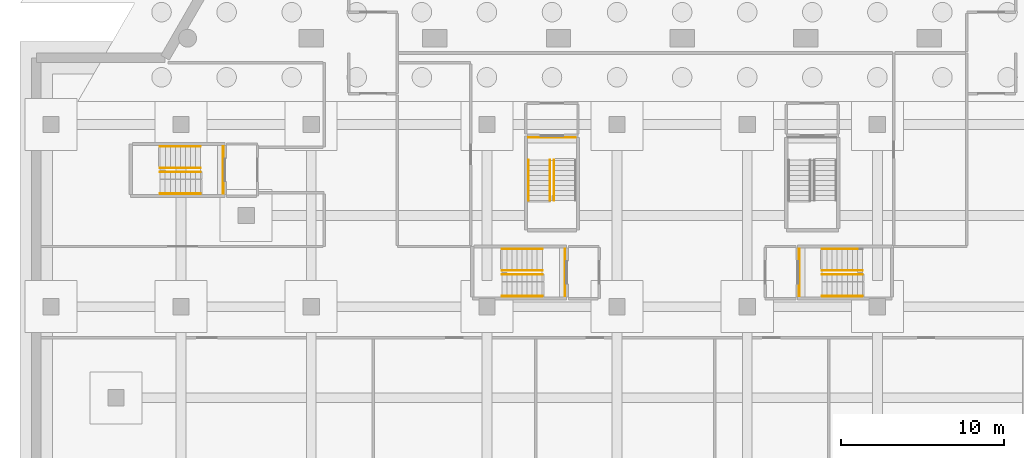
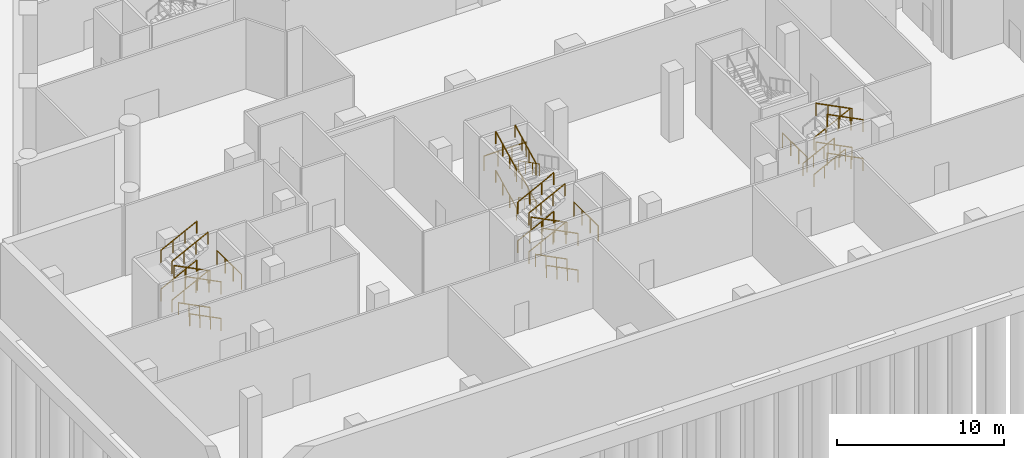
# One storey, part 16 of 20: 33 railings, 4 elements without a shape of their own.
"""IFC4 building model written with IfcOpenShell, lengths in metres."""

from ifc_helpers import new_model, si_unit, direction, frame, origin, origin_2d, place, context, subcontext, project, spatial, circle, extrude, material, type_object, element, aggregate, save


model = new_model("IFC4")

# Units and contexts
model_context = context("Model", 3, precision=1e-05, world=origin(), true_north=direction((0.0, 1.0)))
body_context = subcontext(model_context, "Body", "Model", "MODEL_VIEW")
ifc_project = project(units=[si_unit("LENGTHUNIT", "METRE"), si_unit("AREAUNIT", "SQUARE_METRE"), si_unit("VOLUMEUNIT", "CUBIC_METRE"), si_unit("PLANEANGLEUNIT", "RADIAN"), si_unit("MASSUNIT", "GRAM", prefix="KILO")], contexts=[model_context])

# Site, building, storey
site_placement = place(None, origin())
site = spatial("IfcSite", under=ifc_project, at=site_placement, CompositionType="ELEMENT")
building_placement = place(site_placement, origin())
building = spatial("IfcBuilding", under=site, at=building_placement, Name="Triada Interchange Tower", CompositionType="ELEMENT")
storey_placement = place(building_placement, frame((0.0, 0.0, -5.5)))
storey = spatial("IfcBuildingStorey", under=building, at=storey_placement, Name="B1", CompositionType="ELEMENT", Elevation=-5.5)

# Stair, railing
ifc_material_1 = material(Name="Concrete C35/45", Category="concrete")
stair_type = type_object("IfcStairType", Name="HALF TURN STAIR 1400", PredefinedType="HALF_TURN_STAIR", material=ifc_material_1)
stair_1_placement = place(storey_placement, origin())
stair_1 = element("IfcStair", 1, at=stair_1_placement, inside=storey, type_object=stair_type, Name="Exit stair SB1-4", PredefinedType="HALF_TURN_STAIR")
ifc_material_2 = material(Name="Stainless steel 1.4301", Category="steel")
railing_type_1 = type_object("IfcRailingType", Name="STAIR GUARD 1100", PredefinedType="GUARDRAIL", material=ifc_material_2)
railing_1_placement = place(storey_placement, frame((-7.199951171875, -37.449951171875, 2.67138671875)))
railing_1 = element("IfcRailing", 2, at=railing_1_placement, type_object=railing_type_1, Name="Guard SB1-4 1", PredefinedType="GUARDRAIL", context=body_context, shape_type="SweptSolid", body=[
    extrude(circle(Radius=0.02392578125, at=origin_2d()), frame((0.0, 0.0, 1.076171875), z_axis=(0.0, 1.0, 0.0), x_axis=(-1.0, 0.0, 0.0)), (0.0, 0.0, 1.0), 2.89990234375),
    extrude(circle(Radius=0.02099609375, at=origin_2d()), origin(), (0.0, 0.0, 1.0), 1.052001953125),
    extrude(circle(Radius=0.02099609375, at=origin_2d()), frame((0.0, 0.966552734375, 0.0)), (0.0, 0.0, 1.0), 1.052001953125),
    extrude(circle(Radius=0.02099609375, at=origin_2d()), frame((0.0, 1.933349609375, 0.0)), (0.0, 0.0, 1.0), 1.052001953125),
    extrude(circle(Radius=0.02099609375, at=origin_2d()), frame((0.0, 2.89990234375, 0.0)), (0.0, 0.0, 1.0), 1.052001953125),
])

stair_2_placement = place(storey_placement, origin())
stair_2 = element("IfcStair", 3, at=stair_2_placement, inside=storey, type_object=stair_type, Name="Exit stair SB1-5", PredefinedType="HALF_TURN_STAIR")
railing_2_placement = place(storey_placement, frame((7.199951171875, -34.550048828125, 2.67138671875)))
railing_2 = element("IfcRailing", 4, at=railing_2_placement, type_object=railing_type_1, Name="Guard SB1-5 1", PredefinedType="GUARDRAIL", context=body_context, shape_type="SweptSolid", body=[
    extrude(circle(Radius=0.02392578125, at=origin_2d()), frame((0.0, 0.0, 1.076171875), z_axis=(0.0, -1.0, 0.0), x_axis=(1.0, 0.0, 0.0)), (0.0, 0.0, 1.0), 2.89990234375),
    extrude(circle(Radius=0.02099609375, at=origin_2d()), origin(), (0.0, 0.0, 1.0), 1.052001953125),
    extrude(circle(Radius=0.02099609375, at=origin_2d()), frame((0.0, -0.966552734375, 0.0)), (0.0, 0.0, 1.0), 1.052001953125),
    extrude(circle(Radius=0.02099609375, at=origin_2d()), frame((0.0, -1.933349609375, 0.0)), (0.0, 0.0, 1.0), 1.052001953125),
    extrude(circle(Radius=0.02099609375, at=origin_2d()), frame((0.0, -2.89990234375, 0.0)), (0.0, 0.0, 1.0), 1.052001953125),
])

stair_3_placement = place(storey_placement, origin())
stair_3 = element("IfcStair", 5, at=stair_3_placement, inside=storey, type_object=stair_type, Name="Exit stair SB1-8", PredefinedType="HALF_TURN_STAIR")
railing_3_placement = place(storey_placement, frame((-28.199951171875, -31.14990234375, 2.67138671875)))
railing_3 = element("IfcRailing", 6, at=railing_3_placement, type_object=railing_type_1, Name="Guard SB1-8 1", PredefinedType="GUARDRAIL", context=body_context, shape_type="SweptSolid", body=[
    extrude(circle(Radius=0.02392578125, at=origin_2d()), frame((0.0, 0.0, 1.076171875), z_axis=(0.0, 1.0, 0.0), x_axis=(-1.0, 0.0, 0.0)), (0.0, 0.0, 1.0), 2.89990234375),
    extrude(circle(Radius=0.02099609375, at=origin_2d()), origin(), (0.0, 0.0, 1.0), 1.052001953125),
    extrude(circle(Radius=0.02099609375, at=origin_2d()), frame((0.0, 0.966552734375, 0.0)), (0.0, 0.0, 1.0), 1.052001953125),
    extrude(circle(Radius=0.02099609375, at=origin_2d()), frame((0.0, 1.933349609375, 0.0)), (0.0, 0.0, 1.0), 1.052001953125),
    extrude(circle(Radius=0.02099609375, at=origin_2d()), frame((0.0, 2.89990234375, 0.0)), (0.0, 0.0, 1.0), 1.052001953125),
])

stair_4_placement = place(storey_placement, origin())
stair_4 = element("IfcStair", 7, at=stair_4_placement, inside=storey, type_object=stair_type, Name="Exit stair SB1-11", PredefinedType="HALF_TURN_STAIR")
railing_4_placement = place(storey_placement, frame((-6.550048828125, -27.699951171875, 2.67138671875)))
railing_4 = element("IfcRailing", 8, at=railing_4_placement, type_object=railing_type_1, Name="Guard SB1-11 1", PredefinedType="GUARDRAIL", context=body_context, shape_type="SweptSolid", body=[
    extrude(circle(Radius=0.02392578125, at=origin_2d()), frame((0.0, 0.0, 1.076171875), z_axis=(-1.0, 0.0, 0.0), x_axis=(0.0, -1.0, 0.0)), (0.0, 0.0, 1.0), 2.89990234375),
    extrude(circle(Radius=0.02099609375, at=origin_2d()), origin(), (0.0, 0.0, 1.0), 1.052001953125),
    extrude(circle(Radius=0.02099609375, at=origin_2d()), frame((-0.966552734375, 0.0, 0.0)), (0.0, 0.0, 1.0), 1.052001953125),
    extrude(circle(Radius=0.02099609375, at=origin_2d()), frame((-1.933349609375, 0.0, 0.0)), (0.0, 0.0, 1.0), 1.052001953125),
    extrude(circle(Radius=0.02099609375, at=origin_2d()), frame((-2.89990234375, 0.0, 0.0)), (0.0, 0.0, 1.0), 1.052001953125),
])

# Railing
railing_type_2 = type_object("IfcRailingType", Name="STAIR HANDRAIL 900", PredefinedType="HANDRAIL", material=ifc_material_2)
railing_5_placement = place(storey_placement, frame((-8.60009765625, -37.449951171875, 0.156982421875)))
railing_5 = element("IfcRailing", 9, at=railing_5_placement, type_object=railing_type_2, Name="Handrail SB1-4 1W", PredefinedType="HANDRAIL", context=body_context, shape_type="SweptSolid", body=[
    extrude(circle(Radius=0.02392578125, at=origin_2d()), frame((0.0, 0.0, 0.8759765625), z_axis=(-0.891924622744, 0.0, 0.452184107795), x_axis=(0.0, -1.0, 0.0)), (0.0, 0.0, 1.0), 2.432861328125),
    extrude(circle(Radius=0.02099609375, at=origin_2d()), origin(), (0.0, 0.0, 1.0), 0.851806640625),
    extrude(circle(Radius=0.02099609375, at=origin_2d()), frame((-0.723388671875, 0.0, 0.36669921875)), (0.0, 0.0, 1.0), 0.851806640625),
    extrude(circle(Radius=0.02099609375, at=origin_2d()), frame((-1.446533203125, 0.0, 0.7333984375)), (0.0, 0.0, 1.0), 0.851806640625),
    extrude(circle(Radius=0.02099609375, at=origin_2d()), frame((-2.169921875, 0.0, 1.10009765625)), (0.0, 0.0, 1.0), 0.851806640625),
])

railing_6_placement = place(storey_placement, frame((-8.60009765625, -36.1201171875, 0.156982421875)))
railing_6 = element("IfcRailing", 10, at=railing_6_placement, type_object=railing_type_2, Name="Handrail SB1-4 1C", PredefinedType="HANDRAIL", context=body_context, shape_type="SweptSolid", body=[
    extrude(circle(Radius=0.02392578125, at=origin_2d()), frame((0.0, 0.0, 0.8759765625), z_axis=(-0.891924622744, 0.0, 0.452184107795), x_axis=(0.0, -1.0, 0.0)), (0.0, 0.0, 1.0), 2.432861328125),
    extrude(circle(Radius=0.02099609375, at=origin_2d()), origin(), (0.0, 0.0, 1.0), 0.851806640625),
    extrude(circle(Radius=0.02099609375, at=origin_2d()), frame((-0.723388671875, 0.0, 0.36669921875)), (0.0, 0.0, 1.0), 0.851806640625),
    extrude(circle(Radius=0.02099609375, at=origin_2d()), frame((-1.446533203125, 0.0, 0.7333984375)), (0.0, 0.0, 1.0), 0.851806640625),
    extrude(circle(Radius=0.02099609375, at=origin_2d()), frame((-2.169921875, 0.0, 1.10009765625)), (0.0, 0.0, 1.0), 0.851806640625),
])

railing_7_placement = place(storey_placement, frame((-11.080078125, -34.550048828125, 1.414306640625)))
railing_7 = element("IfcRailing", 11, at=railing_7_placement, type_object=railing_type_2, Name="Handrail SB1-4 2W", PredefinedType="HANDRAIL", context=body_context, shape_type="SweptSolid", body=[
    extrude(circle(Radius=0.02392578125, at=origin_2d()), frame((0.0, 0.0, 0.8759765625), z_axis=(0.89195504639, 0.0, 0.452124092721), x_axis=(0.0, 1.0, 0.0)), (0.0, 0.0, 1.0), 2.7802734375),
    extrude(circle(Radius=0.02099609375, at=origin_2d()), origin(), (0.0, 0.0, 1.0), 0.851806640625),
    extrude(circle(Radius=0.02099609375, at=origin_2d()), frame((0.82666015625, 0.0, 0.4189453125)), (0.0, 0.0, 1.0), 0.851806640625),
    extrude(circle(Radius=0.02099609375, at=origin_2d()), frame((1.6533203125, 0.0, 0.838134765625)), (0.0, 0.0, 1.0), 0.851806640625),
    extrude(circle(Radius=0.02099609375, at=origin_2d()), frame((2.47998046875, 0.0, 1.257080078125)), (0.0, 0.0, 1.0), 0.851806640625),
])

railing_8_placement = place(storey_placement, frame((-11.080078125, -35.8798828125, 1.414306640625)))
railing_8 = element("IfcRailing", 12, at=railing_8_placement, type_object=railing_type_2, Name="Handrail SB1-4 2C", PredefinedType="HANDRAIL", context=body_context, shape_type="SweptSolid", body=[
    extrude(circle(Radius=0.02392578125, at=origin_2d()), frame((0.0, 0.0, 0.8759765625), z_axis=(0.89195504639, 0.0, 0.452124092721), x_axis=(0.0, 1.0, 0.0)), (0.0, 0.0, 1.0), 2.7802734375),
    extrude(circle(Radius=0.02099609375, at=origin_2d()), origin(), (0.0, 0.0, 1.0), 0.851806640625),
    extrude(circle(Radius=0.02099609375, at=origin_2d()), frame((0.82666015625, 0.0, 0.4189453125)), (0.0, 0.0, 1.0), 0.851806640625),
    extrude(circle(Radius=0.02099609375, at=origin_2d()), frame((1.6533203125, 0.0, 0.838134765625)), (0.0, 0.0, 1.0), 0.851806640625),
    extrude(circle(Radius=0.02099609375, at=origin_2d()), frame((2.47998046875, 0.0, 1.257080078125)), (0.0, 0.0, 1.0), 0.851806640625),
])

railing_9_placement = place(storey_placement, frame((-8.60009765625, -37.449951171875, 2.82861328125)))
railing_9 = element("IfcRailing", 13, at=railing_9_placement, type_object=railing_type_2, Name="Handrail SB1-4 3W", PredefinedType="HANDRAIL", context=body_context, shape_type="SweptSolid", body=[
    extrude(circle(Radius=0.02392578125, at=origin_2d()), frame((0.0, 0.0, 0.8759765625), z_axis=(-0.89195504639, 0.0, 0.452124092721), x_axis=(0.0, -1.0, 0.0)), (0.0, 0.0, 1.0), 2.7802734375),
    extrude(circle(Radius=0.02099609375, at=origin_2d()), origin(), (0.0, 0.0, 1.0), 0.851806640625),
    extrude(circle(Radius=0.02099609375, at=origin_2d()), frame((-0.82666015625, 0.0, 0.4189453125)), (0.0, 0.0, 1.0), 0.851806640625),
    extrude(circle(Radius=0.02099609375, at=origin_2d()), frame((-1.6533203125, 0.0, 0.838134765625)), (0.0, 0.0, 1.0), 0.851806640625),
    extrude(circle(Radius=0.02099609375, at=origin_2d()), frame((-2.47998046875, 0.0, 1.257080078125)), (0.0, 0.0, 1.0), 0.851806640625),
])

railing_10_placement = place(storey_placement, frame((-8.60009765625, -36.1201171875, 2.82861328125)))
railing_10 = element("IfcRailing", 14, at=railing_10_placement, type_object=railing_type_2, Name="Handrail SB1-4 3C", PredefinedType="HANDRAIL", context=body_context, shape_type="SweptSolid", body=[
    extrude(circle(Radius=0.02392578125, at=origin_2d()), frame((0.0, 0.0, 0.8759765625), z_axis=(-0.89195504639, 0.0, 0.452124092721), x_axis=(0.0, -1.0, 0.0)), (0.0, 0.0, 1.0), 2.7802734375),
    extrude(circle(Radius=0.02099609375, at=origin_2d()), origin(), (0.0, 0.0, 1.0), 0.851806640625),
    extrude(circle(Radius=0.02099609375, at=origin_2d()), frame((-0.82666015625, 0.0, 0.4189453125)), (0.0, 0.0, 1.0), 0.851806640625),
    extrude(circle(Radius=0.02099609375, at=origin_2d()), frame((-1.6533203125, 0.0, 0.838134765625)), (0.0, 0.0, 1.0), 0.851806640625),
    extrude(circle(Radius=0.02099609375, at=origin_2d()), frame((-2.47998046875, 0.0, 1.257080078125)), (0.0, 0.0, 1.0), 0.851806640625),
])

railing_11_placement = place(storey_placement, frame((-11.080078125, -34.550048828125, 4.24267578125)))
railing_11 = element("IfcRailing", 15, at=railing_11_placement, type_object=railing_type_2, Name="Handrail SB1-4 4W", PredefinedType="HANDRAIL", context=body_context, shape_type="SweptSolid", body=[
    extrude(circle(Radius=0.02392578125, at=origin_2d()), frame((0.0, 0.0, 0.8759765625), z_axis=(0.89191963429, 0.0, 0.452193947292), x_axis=(0.0, 1.0, 0.0)), (0.0, 0.0, 1.0), 2.780517578125),
    extrude(circle(Radius=0.02099609375, at=origin_2d()), origin(), (0.0, 0.0, 1.0), 0.851806640625),
    extrude(circle(Radius=0.02099609375, at=origin_2d()), frame((0.82666015625, 0.0, 0.419189453125)), (0.0, 0.0, 1.0), 0.851806640625),
    extrude(circle(Radius=0.02099609375, at=origin_2d()), frame((1.6533203125, 0.0, 0.838134765625)), (0.0, 0.0, 1.0), 0.851806640625),
    extrude(circle(Radius=0.02099609375, at=origin_2d()), frame((2.47998046875, 0.0, 1.25732421875)), (0.0, 0.0, 1.0), 0.851806640625),
])

railing_12_placement = place(storey_placement, frame((-11.080078125, -35.8798828125, 4.24267578125)))
railing_12 = element("IfcRailing", 16, at=railing_12_placement, type_object=railing_type_2, Name="Handrail SB1-4 4C", PredefinedType="HANDRAIL", context=body_context, shape_type="SweptSolid", body=[
    extrude(circle(Radius=0.02392578125, at=origin_2d()), frame((0.0, 0.0, 0.8759765625), z_axis=(0.89191963429, 0.0, 0.452193947292), x_axis=(0.0, 1.0, 0.0)), (0.0, 0.0, 1.0), 2.780517578125),
    extrude(circle(Radius=0.02099609375, at=origin_2d()), origin(), (0.0, 0.0, 1.0), 0.851806640625),
    extrude(circle(Radius=0.02099609375, at=origin_2d()), frame((0.82666015625, 0.0, 0.419189453125)), (0.0, 0.0, 1.0), 0.851806640625),
    extrude(circle(Radius=0.02099609375, at=origin_2d()), frame((1.6533203125, 0.0, 0.838134765625)), (0.0, 0.0, 1.0), 0.851806640625),
    extrude(circle(Radius=0.02099609375, at=origin_2d()), frame((2.47998046875, 0.0, 1.25732421875)), (0.0, 0.0, 1.0), 0.851806640625),
])

aggregate(stair_1, [railing_5, railing_6, railing_7, railing_8, railing_9, railing_10, railing_11, railing_12, railing_1])

railing_13_placement = place(storey_placement, frame((8.60009765625, -34.550048828125, 0.156982421875)))
railing_13 = element("IfcRailing", 17, at=railing_13_placement, type_object=railing_type_2, Name="Handrail SB1-5 1W", PredefinedType="HANDRAIL", context=body_context, shape_type="SweptSolid", body=[
    extrude(circle(Radius=0.02392578125, at=origin_2d()), frame((0.0, 0.0, 0.8759765625), z_axis=(0.891924622744, 0.0, 0.452184107795), x_axis=(0.0, 1.0, 0.0)), (0.0, 0.0, 1.0), 2.432861328125),
    extrude(circle(Radius=0.02099609375, at=origin_2d()), origin(), (0.0, 0.0, 1.0), 0.851806640625),
    extrude(circle(Radius=0.02099609375, at=origin_2d()), frame((0.723388671875, 0.0, 0.36669921875)), (0.0, 0.0, 1.0), 0.851806640625),
    extrude(circle(Radius=0.02099609375, at=origin_2d()), frame((1.446533203125, 0.0, 0.7333984375)), (0.0, 0.0, 1.0), 0.851806640625),
    extrude(circle(Radius=0.02099609375, at=origin_2d()), frame((2.169921875, 0.0, 1.10009765625)), (0.0, 0.0, 1.0), 0.851806640625),
])

railing_14_placement = place(storey_placement, frame((8.60009765625, -35.8798828125, 0.156982421875)))
railing_14 = element("IfcRailing", 18, at=railing_14_placement, type_object=railing_type_2, Name="Handrail SB1-5 1C", PredefinedType="HANDRAIL", context=body_context, shape_type="SweptSolid", body=[
    extrude(circle(Radius=0.02392578125, at=origin_2d()), frame((0.0, 0.0, 0.8759765625), z_axis=(0.891924622744, 0.0, 0.452184107795), x_axis=(0.0, 1.0, 0.0)), (0.0, 0.0, 1.0), 2.432861328125),
    extrude(circle(Radius=0.02099609375, at=origin_2d()), origin(), (0.0, 0.0, 1.0), 0.851806640625),
    extrude(circle(Radius=0.02099609375, at=origin_2d()), frame((0.723388671875, 0.0, 0.36669921875)), (0.0, 0.0, 1.0), 0.851806640625),
    extrude(circle(Radius=0.02099609375, at=origin_2d()), frame((1.446533203125, 0.0, 0.7333984375)), (0.0, 0.0, 1.0), 0.851806640625),
    extrude(circle(Radius=0.02099609375, at=origin_2d()), frame((2.169921875, 0.0, 1.10009765625)), (0.0, 0.0, 1.0), 0.851806640625),
])

railing_15_placement = place(storey_placement, frame((11.080078125, -37.449951171875, 1.414306640625)))
railing_15 = element("IfcRailing", 19, at=railing_15_placement, type_object=railing_type_2, Name="Handrail SB1-5 2W", PredefinedType="HANDRAIL", context=body_context, shape_type="SweptSolid", body=[
    extrude(circle(Radius=0.02392578125, at=origin_2d()), frame((0.0, 0.0, 0.8759765625), z_axis=(-0.89195504639, 0.0, 0.452124092721), x_axis=(0.0, -1.0, 0.0)), (0.0, 0.0, 1.0), 2.7802734375),
    extrude(circle(Radius=0.02099609375, at=origin_2d()), origin(), (0.0, 0.0, 1.0), 0.851806640625),
    extrude(circle(Radius=0.02099609375, at=origin_2d()), frame((-0.82666015625, 0.0, 0.4189453125)), (0.0, 0.0, 1.0), 0.851806640625),
    extrude(circle(Radius=0.02099609375, at=origin_2d()), frame((-1.6533203125, 0.0, 0.838134765625)), (0.0, 0.0, 1.0), 0.851806640625),
    extrude(circle(Radius=0.02099609375, at=origin_2d()), frame((-2.47998046875, 0.0, 1.257080078125)), (0.0, 0.0, 1.0), 0.851806640625),
])

railing_16_placement = place(storey_placement, frame((11.080078125, -36.1201171875, 1.414306640625)))
railing_16 = element("IfcRailing", 20, at=railing_16_placement, type_object=railing_type_2, Name="Handrail SB1-5 2C", PredefinedType="HANDRAIL", context=body_context, shape_type="SweptSolid", body=[
    extrude(circle(Radius=0.02392578125, at=origin_2d()), frame((0.0, 0.0, 0.8759765625), z_axis=(-0.89195504639, 0.0, 0.452124092721), x_axis=(0.0, -1.0, 0.0)), (0.0, 0.0, 1.0), 2.7802734375),
    extrude(circle(Radius=0.02099609375, at=origin_2d()), origin(), (0.0, 0.0, 1.0), 0.851806640625),
    extrude(circle(Radius=0.02099609375, at=origin_2d()), frame((-0.82666015625, 0.0, 0.4189453125)), (0.0, 0.0, 1.0), 0.851806640625),
    extrude(circle(Radius=0.02099609375, at=origin_2d()), frame((-1.6533203125, 0.0, 0.838134765625)), (0.0, 0.0, 1.0), 0.851806640625),
    extrude(circle(Radius=0.02099609375, at=origin_2d()), frame((-2.47998046875, 0.0, 1.257080078125)), (0.0, 0.0, 1.0), 0.851806640625),
])

railing_17_placement = place(storey_placement, frame((8.60009765625, -35.8798828125, 2.82861328125)))
railing_17 = element("IfcRailing", 21, at=railing_17_placement, type_object=railing_type_2, Name="Handrail SB1-5 3C", PredefinedType="HANDRAIL", context=body_context, shape_type="SweptSolid", body=[
    extrude(circle(Radius=0.02392578125, at=origin_2d()), frame((0.0, 0.0, 0.8759765625), z_axis=(0.89195504639, 0.0, 0.452124092721), x_axis=(0.0, 1.0, 0.0)), (0.0, 0.0, 1.0), 2.7802734375),
    extrude(circle(Radius=0.02099609375, at=origin_2d()), origin(), (0.0, 0.0, 1.0), 0.851806640625),
    extrude(circle(Radius=0.02099609375, at=origin_2d()), frame((0.82666015625, 0.0, 0.4189453125)), (0.0, 0.0, 1.0), 0.851806640625),
    extrude(circle(Radius=0.02099609375, at=origin_2d()), frame((1.6533203125, 0.0, 0.838134765625)), (0.0, 0.0, 1.0), 0.851806640625),
    extrude(circle(Radius=0.02099609375, at=origin_2d()), frame((2.47998046875, 0.0, 1.257080078125)), (0.0, 0.0, 1.0), 0.851806640625),
])

railing_18_placement = place(storey_placement, frame((11.080078125, -37.449951171875, 4.24267578125)))
railing_18 = element("IfcRailing", 22, at=railing_18_placement, type_object=railing_type_2, Name="Handrail SB1-5 4W", PredefinedType="HANDRAIL", context=body_context, shape_type="SweptSolid", body=[
    extrude(circle(Radius=0.02392578125, at=origin_2d()), frame((0.0, 0.0, 0.8759765625), z_axis=(-0.89191963429, 0.0, 0.452193947292), x_axis=(0.0, -1.0, 0.0)), (0.0, 0.0, 1.0), 2.780517578125),
    extrude(circle(Radius=0.02099609375, at=origin_2d()), origin(), (0.0, 0.0, 1.0), 0.851806640625),
    extrude(circle(Radius=0.02099609375, at=origin_2d()), frame((-0.82666015625, 0.0, 0.419189453125)), (0.0, 0.0, 1.0), 0.851806640625),
    extrude(circle(Radius=0.02099609375, at=origin_2d()), frame((-1.6533203125, 0.0, 0.838134765625)), (0.0, 0.0, 1.0), 0.851806640625),
    extrude(circle(Radius=0.02099609375, at=origin_2d()), frame((-2.47998046875, 0.0, 1.25732421875)), (0.0, 0.0, 1.0), 0.851806640625),
])

railing_19_placement = place(storey_placement, frame((11.080078125, -36.1201171875, 4.24267578125)))
railing_19 = element("IfcRailing", 23, at=railing_19_placement, type_object=railing_type_2, Name="Handrail SB1-5 4C", PredefinedType="HANDRAIL", context=body_context, shape_type="SweptSolid", body=[
    extrude(circle(Radius=0.02392578125, at=origin_2d()), frame((0.0, 0.0, 0.8759765625), z_axis=(-0.89191963429, 0.0, 0.452193947292), x_axis=(0.0, -1.0, 0.0)), (0.0, 0.0, 1.0), 2.780517578125),
    extrude(circle(Radius=0.02099609375, at=origin_2d()), origin(), (0.0, 0.0, 1.0), 0.851806640625),
    extrude(circle(Radius=0.02099609375, at=origin_2d()), frame((-0.82666015625, 0.0, 0.419189453125)), (0.0, 0.0, 1.0), 0.851806640625),
    extrude(circle(Radius=0.02099609375, at=origin_2d()), frame((-1.6533203125, 0.0, 0.838134765625)), (0.0, 0.0, 1.0), 0.851806640625),
    extrude(circle(Radius=0.02099609375, at=origin_2d()), frame((-2.47998046875, 0.0, 1.25732421875)), (0.0, 0.0, 1.0), 0.851806640625),
])

aggregate(stair_2, [railing_13, railing_14, railing_15, railing_16, railing_17, railing_18, railing_19, railing_2])

railing_20_placement = place(storey_placement, frame((-29.60009765625, -31.14990234375, 0.156982421875)))
railing_20 = element("IfcRailing", 24, at=railing_20_placement, type_object=railing_type_2, Name="Handrail SB1-8 1W", PredefinedType="HANDRAIL", context=body_context, shape_type="SweptSolid", body=[
    extrude(circle(Radius=0.02392578125, at=origin_2d()), frame((0.0, 0.0, 0.8759765625), z_axis=(-0.891924622744, 0.0, 0.452184107795), x_axis=(0.0, -1.0, 0.0)), (0.0, 0.0, 1.0), 2.432861328125),
    extrude(circle(Radius=0.02099609375, at=origin_2d()), origin(), (0.0, 0.0, 1.0), 0.851806640625),
    extrude(circle(Radius=0.02099609375, at=origin_2d()), frame((-0.723388671875, 0.0, 0.36669921875)), (0.0, 0.0, 1.0), 0.851806640625),
    extrude(circle(Radius=0.02099609375, at=origin_2d()), frame((-1.446533203125, 0.0, 0.7333984375)), (0.0, 0.0, 1.0), 0.851806640625),
    extrude(circle(Radius=0.02099609375, at=origin_2d()), frame((-2.169921875, 0.0, 1.10009765625)), (0.0, 0.0, 1.0), 0.851806640625),
])

railing_21_placement = place(storey_placement, frame((-29.60009765625, -29.820068359375, 0.156982421875)))
railing_21 = element("IfcRailing", 25, at=railing_21_placement, type_object=railing_type_2, Name="Handrail SB1-8 1C", PredefinedType="HANDRAIL", context=body_context, shape_type="SweptSolid", body=[
    extrude(circle(Radius=0.02392578125, at=origin_2d()), frame((0.0, 0.0, 0.8759765625), z_axis=(-0.891924622744, 0.0, 0.452184107795), x_axis=(0.0, -1.0, 0.0)), (0.0, 0.0, 1.0), 2.432861328125),
    extrude(circle(Radius=0.02099609375, at=origin_2d()), origin(), (0.0, 0.0, 1.0), 0.851806640625),
    extrude(circle(Radius=0.02099609375, at=origin_2d()), frame((-0.723388671875, 0.0, 0.36669921875)), (0.0, 0.0, 1.0), 0.851806640625),
    extrude(circle(Radius=0.02099609375, at=origin_2d()), frame((-1.446533203125, 0.0, 0.7333984375)), (0.0, 0.0, 1.0), 0.851806640625),
    extrude(circle(Radius=0.02099609375, at=origin_2d()), frame((-2.169921875, 0.0, 1.10009765625)), (0.0, 0.0, 1.0), 0.851806640625),
])

railing_22_placement = place(storey_placement, frame((-32.080078125, -28.25, 1.414306640625)))
railing_22 = element("IfcRailing", 26, at=railing_22_placement, type_object=railing_type_2, Name="Handrail SB1-8 2W", PredefinedType="HANDRAIL", context=body_context, shape_type="SweptSolid", body=[
    extrude(circle(Radius=0.02392578125, at=origin_2d()), frame((0.0, 0.0, 0.8759765625), z_axis=(0.89195504639, 0.0, 0.452124092721), x_axis=(0.0, 1.0, 0.0)), (0.0, 0.0, 1.0), 2.7802734375),
    extrude(circle(Radius=0.02099609375, at=origin_2d()), origin(), (0.0, 0.0, 1.0), 0.851806640625),
    extrude(circle(Radius=0.02099609375, at=origin_2d()), frame((0.82666015625, 0.0, 0.4189453125)), (0.0, 0.0, 1.0), 0.851806640625),
    extrude(circle(Radius=0.02099609375, at=origin_2d()), frame((1.6533203125, 0.0, 0.838134765625)), (0.0, 0.0, 1.0), 0.851806640625),
    extrude(circle(Radius=0.02099609375, at=origin_2d()), frame((2.47998046875, 0.0, 1.257080078125)), (0.0, 0.0, 1.0), 0.851806640625),
])

railing_23_placement = place(storey_placement, frame((-32.080078125, -29.580078125, 1.414306640625)))
railing_23 = element("IfcRailing", 27, at=railing_23_placement, type_object=railing_type_2, Name="Handrail SB1-8 2C", PredefinedType="HANDRAIL", context=body_context, shape_type="SweptSolid", body=[
    extrude(circle(Radius=0.02392578125, at=origin_2d()), frame((0.0, 0.0, 0.8759765625), z_axis=(0.89195504639, 0.0, 0.452124092721), x_axis=(0.0, 1.0, 0.0)), (0.0, 0.0, 1.0), 2.7802734375),
    extrude(circle(Radius=0.02099609375, at=origin_2d()), origin(), (0.0, 0.0, 1.0), 0.851806640625),
    extrude(circle(Radius=0.02099609375, at=origin_2d()), frame((0.82666015625, 0.0, 0.4189453125)), (0.0, 0.0, 1.0), 0.851806640625),
    extrude(circle(Radius=0.02099609375, at=origin_2d()), frame((1.6533203125, 0.0, 0.838134765625)), (0.0, 0.0, 1.0), 0.851806640625),
    extrude(circle(Radius=0.02099609375, at=origin_2d()), frame((2.47998046875, 0.0, 1.257080078125)), (0.0, 0.0, 1.0), 0.851806640625),
])

railing_24_placement = place(storey_placement, frame((-29.60009765625, -31.14990234375, 2.82861328125)))
railing_24 = element("IfcRailing", 28, at=railing_24_placement, type_object=railing_type_2, Name="Handrail SB1-8 3W", PredefinedType="HANDRAIL", context=body_context, shape_type="SweptSolid", body=[
    extrude(circle(Radius=0.02392578125, at=origin_2d()), frame((0.0, 0.0, 0.8759765625), z_axis=(-0.89195504639, 0.0, 0.452124092721), x_axis=(0.0, -1.0, 0.0)), (0.0, 0.0, 1.0), 2.7802734375),
    extrude(circle(Radius=0.02099609375, at=origin_2d()), origin(), (0.0, 0.0, 1.0), 0.851806640625),
    extrude(circle(Radius=0.02099609375, at=origin_2d()), frame((-0.82666015625, 0.0, 0.4189453125)), (0.0, 0.0, 1.0), 0.851806640625),
    extrude(circle(Radius=0.02099609375, at=origin_2d()), frame((-1.6533203125, 0.0, 0.838134765625)), (0.0, 0.0, 1.0), 0.851806640625),
    extrude(circle(Radius=0.02099609375, at=origin_2d()), frame((-2.47998046875, 0.0, 1.257080078125)), (0.0, 0.0, 1.0), 0.851806640625),
])

railing_25_placement = place(storey_placement, frame((-29.60009765625, -29.820068359375, 2.82861328125)))
railing_25 = element("IfcRailing", 29, at=railing_25_placement, type_object=railing_type_2, Name="Handrail SB1-8 3C", PredefinedType="HANDRAIL", context=body_context, shape_type="SweptSolid", body=[
    extrude(circle(Radius=0.02392578125, at=origin_2d()), frame((0.0, 0.0, 0.8759765625), z_axis=(-0.89195504639, 0.0, 0.452124092721), x_axis=(0.0, -1.0, 0.0)), (0.0, 0.0, 1.0), 2.7802734375),
    extrude(circle(Radius=0.02099609375, at=origin_2d()), origin(), (0.0, 0.0, 1.0), 0.851806640625),
    extrude(circle(Radius=0.02099609375, at=origin_2d()), frame((-0.82666015625, 0.0, 0.4189453125)), (0.0, 0.0, 1.0), 0.851806640625),
    extrude(circle(Radius=0.02099609375, at=origin_2d()), frame((-1.6533203125, 0.0, 0.838134765625)), (0.0, 0.0, 1.0), 0.851806640625),
    extrude(circle(Radius=0.02099609375, at=origin_2d()), frame((-2.47998046875, 0.0, 1.257080078125)), (0.0, 0.0, 1.0), 0.851806640625),
])

railing_26_placement = place(storey_placement, frame((-32.080078125, -28.25, 4.24267578125)))
railing_26 = element("IfcRailing", 30, at=railing_26_placement, type_object=railing_type_2, Name="Handrail SB1-8 4W", PredefinedType="HANDRAIL", context=body_context, shape_type="SweptSolid", body=[
    extrude(circle(Radius=0.02392578125, at=origin_2d()), frame((0.0, 0.0, 0.8759765625), z_axis=(0.89191963429, 0.0, 0.452193947292), x_axis=(0.0, 1.0, 0.0)), (0.0, 0.0, 1.0), 2.780517578125),
    extrude(circle(Radius=0.02099609375, at=origin_2d()), origin(), (0.0, 0.0, 1.0), 0.851806640625),
    extrude(circle(Radius=0.02099609375, at=origin_2d()), frame((0.82666015625, 0.0, 0.419189453125)), (0.0, 0.0, 1.0), 0.851806640625),
    extrude(circle(Radius=0.02099609375, at=origin_2d()), frame((1.6533203125, 0.0, 0.838134765625)), (0.0, 0.0, 1.0), 0.851806640625),
    extrude(circle(Radius=0.02099609375, at=origin_2d()), frame((2.47998046875, 0.0, 1.25732421875)), (0.0, 0.0, 1.0), 0.851806640625),
])

railing_27_placement = place(storey_placement, frame((-32.080078125, -29.580078125, 4.24267578125)))
railing_27 = element("IfcRailing", 31, at=railing_27_placement, type_object=railing_type_2, Name="Handrail SB1-8 4C", PredefinedType="HANDRAIL", context=body_context, shape_type="SweptSolid", body=[
    extrude(circle(Radius=0.02392578125, at=origin_2d()), frame((0.0, 0.0, 0.8759765625), z_axis=(0.89191963429, 0.0, 0.452193947292), x_axis=(0.0, 1.0, 0.0)), (0.0, 0.0, 1.0), 2.780517578125),
    extrude(circle(Radius=0.02099609375, at=origin_2d()), origin(), (0.0, 0.0, 1.0), 0.851806640625),
    extrude(circle(Radius=0.02099609375, at=origin_2d()), frame((0.82666015625, 0.0, 0.419189453125)), (0.0, 0.0, 1.0), 0.851806640625),
    extrude(circle(Radius=0.02099609375, at=origin_2d()), frame((1.6533203125, 0.0, 0.838134765625)), (0.0, 0.0, 1.0), 0.851806640625),
    extrude(circle(Radius=0.02099609375, at=origin_2d()), frame((2.47998046875, 0.0, 1.25732421875)), (0.0, 0.0, 1.0), 0.851806640625),
])

aggregate(stair_3, [railing_20, railing_21, railing_22, railing_23, railing_24, railing_25, railing_26, railing_27, railing_3])

railing_28_placement = place(storey_placement, frame((-7.8798828125, -29.10009765625, 0.156982421875)))
railing_28 = element("IfcRailing", 32, at=railing_28_placement, type_object=railing_type_2, Name="Handrail SB1-11 1C", PredefinedType="HANDRAIL", context=body_context, shape_type="SweptSolid", body=[
    extrude(circle(Radius=0.02392578125, at=origin_2d()), frame((0.0, 0.0, 0.8759765625), z_axis=(0.0, -0.891924622744, 0.452184107795), x_axis=(1.0, 0.0, 0.0)), (0.0, 0.0, 1.0), 2.432861328125),
    extrude(circle(Radius=0.02099609375, at=origin_2d()), origin(), (0.0, 0.0, 1.0), 0.851806640625),
    extrude(circle(Radius=0.02099609375, at=origin_2d()), frame((0.0, -0.723388671875, 0.36669921875)), (0.0, 0.0, 1.0), 0.851806640625),
    extrude(circle(Radius=0.02099609375, at=origin_2d()), frame((0.0, -1.446533203125, 0.7333984375)), (0.0, 0.0, 1.0), 0.851806640625),
    extrude(circle(Radius=0.02099609375, at=origin_2d()), frame((0.0, -2.169921875, 1.10009765625)), (0.0, 0.0, 1.0), 0.851806640625),
])

railing_29_placement = place(storey_placement, frame((-9.449951171875, -31.580078125, 1.414306640625)))
railing_29 = element("IfcRailing", 33, at=railing_29_placement, type_object=railing_type_2, Name="Handrail SB1-11 2W", PredefinedType="HANDRAIL", context=body_context, shape_type="SweptSolid", body=[
    extrude(circle(Radius=0.02392578125, at=origin_2d()), frame((0.0, 0.0, 0.8759765625), z_axis=(0.0, 0.89195504639, 0.452124092721), x_axis=(-1.0, 0.0, 0.0)), (0.0, 0.0, 1.0), 2.7802734375),
    extrude(circle(Radius=0.02099609375, at=origin_2d()), origin(), (0.0, 0.0, 1.0), 0.851806640625),
    extrude(circle(Radius=0.02099609375, at=origin_2d()), frame((0.0, 0.82666015625, 0.4189453125)), (0.0, 0.0, 1.0), 0.851806640625),
    extrude(circle(Radius=0.02099609375, at=origin_2d()), frame((0.0, 1.6533203125, 0.838134765625)), (0.0, 0.0, 1.0), 0.851806640625),
    extrude(circle(Radius=0.02099609375, at=origin_2d()), frame((0.0, 2.47998046875, 1.257080078125)), (0.0, 0.0, 1.0), 0.851806640625),
])

railing_30_placement = place(storey_placement, frame((-8.1201171875, -31.580078125, 1.414306640625)))
railing_30 = element("IfcRailing", 34, at=railing_30_placement, type_object=railing_type_2, Name="Handrail SB1-11 2C", PredefinedType="HANDRAIL", context=body_context, shape_type="SweptSolid", body=[
    extrude(circle(Radius=0.02392578125, at=origin_2d()), frame((0.0, 0.0, 0.8759765625), z_axis=(0.0, 0.89195504639, 0.452124092721), x_axis=(-1.0, 0.0, 0.0)), (0.0, 0.0, 1.0), 2.7802734375),
    extrude(circle(Radius=0.02099609375, at=origin_2d()), origin(), (0.0, 0.0, 1.0), 0.851806640625),
    extrude(circle(Radius=0.02099609375, at=origin_2d()), frame((0.0, 0.82666015625, 0.4189453125)), (0.0, 0.0, 1.0), 0.851806640625),
    extrude(circle(Radius=0.02099609375, at=origin_2d()), frame((0.0, 1.6533203125, 0.838134765625)), (0.0, 0.0, 1.0), 0.851806640625),
    extrude(circle(Radius=0.02099609375, at=origin_2d()), frame((0.0, 2.47998046875, 1.257080078125)), (0.0, 0.0, 1.0), 0.851806640625),
])

railing_31_placement = place(storey_placement, frame((-7.8798828125, -29.10009765625, 2.82861328125)))
railing_31 = element("IfcRailing", 35, at=railing_31_placement, type_object=railing_type_2, Name="Handrail SB1-11 3C", PredefinedType="HANDRAIL", context=body_context, shape_type="SweptSolid", body=[
    extrude(circle(Radius=0.02392578125, at=origin_2d()), frame((0.0, 0.0, 0.8759765625), z_axis=(0.0, -0.89195504639, 0.452124092721), x_axis=(1.0, 0.0, 0.0)), (0.0, 0.0, 1.0), 2.7802734375),
    extrude(circle(Radius=0.02099609375, at=origin_2d()), origin(), (0.0, 0.0, 1.0), 0.851806640625),
    extrude(circle(Radius=0.02099609375, at=origin_2d()), frame((0.0, -0.82666015625, 0.4189453125)), (0.0, 0.0, 1.0), 0.851806640625),
    extrude(circle(Radius=0.02099609375, at=origin_2d()), frame((0.0, -1.6533203125, 0.838134765625)), (0.0, 0.0, 1.0), 0.851806640625),
    extrude(circle(Radius=0.02099609375, at=origin_2d()), frame((0.0, -2.47998046875, 1.257080078125)), (0.0, 0.0, 1.0), 0.851806640625),
])

railing_32_placement = place(storey_placement, frame((-9.449951171875, -31.580078125, 4.24267578125)))
railing_32 = element("IfcRailing", 36, at=railing_32_placement, type_object=railing_type_2, Name="Handrail SB1-11 4W", PredefinedType="HANDRAIL", context=body_context, shape_type="SweptSolid", body=[
    extrude(circle(Radius=0.02392578125, at=origin_2d()), frame((0.0, 0.0, 0.8759765625), z_axis=(0.0, 0.89191963429, 0.452193947292), x_axis=(-1.0, 0.0, 0.0)), (0.0, 0.0, 1.0), 2.780517578125),
    extrude(circle(Radius=0.02099609375, at=origin_2d()), origin(), (0.0, 0.0, 1.0), 0.851806640625),
    extrude(circle(Radius=0.02099609375, at=origin_2d()), frame((0.0, 0.82666015625, 0.419189453125)), (0.0, 0.0, 1.0), 0.851806640625),
    extrude(circle(Radius=0.02099609375, at=origin_2d()), frame((0.0, 1.6533203125, 0.838134765625)), (0.0, 0.0, 1.0), 0.851806640625),
    extrude(circle(Radius=0.02099609375, at=origin_2d()), frame((0.0, 2.47998046875, 1.25732421875)), (0.0, 0.0, 1.0), 0.851806640625),
])

railing_33_placement = place(storey_placement, frame((-8.1201171875, -31.580078125, 4.24267578125)))
railing_33 = element("IfcRailing", 37, at=railing_33_placement, type_object=railing_type_2, Name="Handrail SB1-11 4C", PredefinedType="HANDRAIL", context=body_context, shape_type="SweptSolid", body=[
    extrude(circle(Radius=0.02392578125, at=origin_2d()), frame((0.0, 0.0, 0.8759765625), z_axis=(0.0, 0.89191963429, 0.452193947292), x_axis=(-1.0, 0.0, 0.0)), (0.0, 0.0, 1.0), 2.780517578125),
    extrude(circle(Radius=0.02099609375, at=origin_2d()), origin(), (0.0, 0.0, 1.0), 0.851806640625),
    extrude(circle(Radius=0.02099609375, at=origin_2d()), frame((0.0, 0.82666015625, 0.419189453125)), (0.0, 0.0, 1.0), 0.851806640625),
    extrude(circle(Radius=0.02099609375, at=origin_2d()), frame((0.0, 1.6533203125, 0.838134765625)), (0.0, 0.0, 1.0), 0.851806640625),
    extrude(circle(Radius=0.02099609375, at=origin_2d()), frame((0.0, 2.47998046875, 1.25732421875)), (0.0, 0.0, 1.0), 0.851806640625),
])

aggregate(stair_4, [railing_28, railing_29, railing_30, railing_31, railing_32, railing_33, railing_4])

save(model, "model.ifc")
